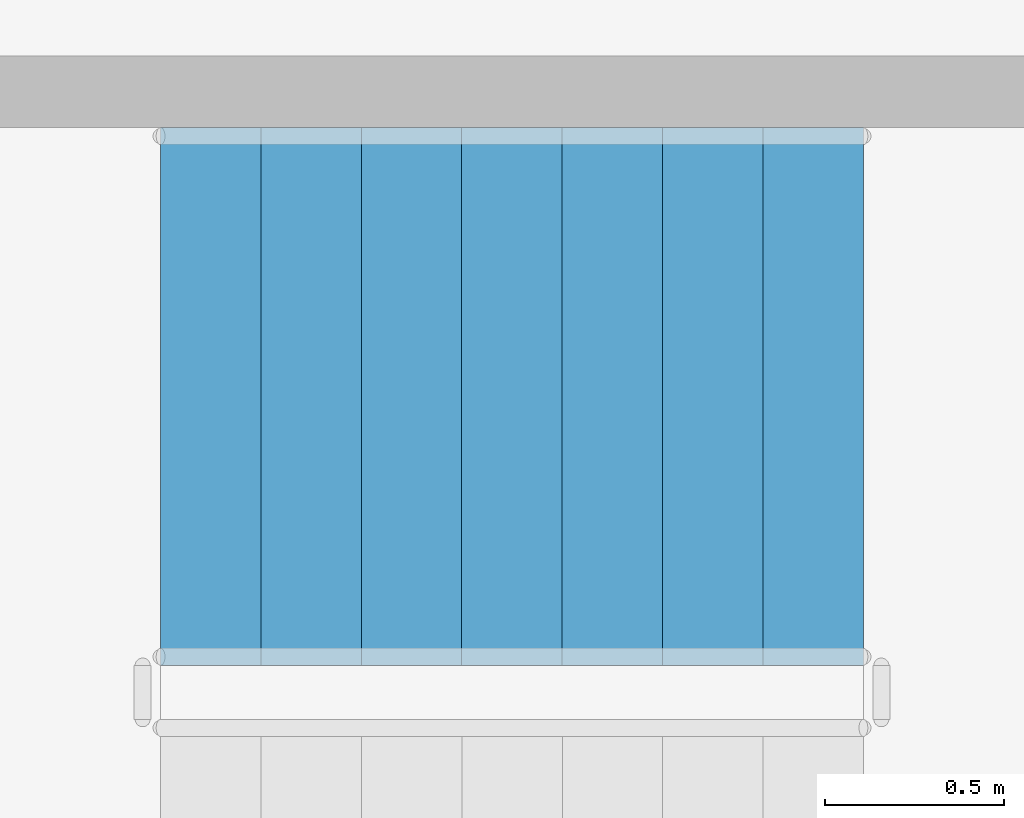
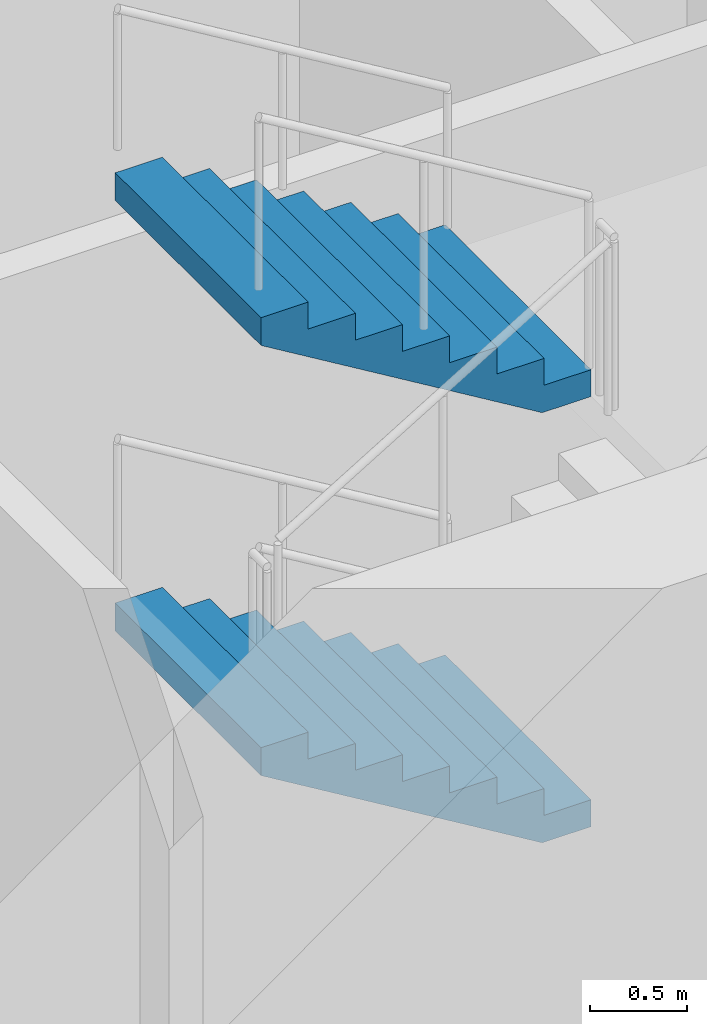
# One storey, part 62 of 101: 2 stair flights, 1 element without a shape of its own.
"""IFC4 building model written with IfcOpenShell, lengths in metres."""

import ifcopenshell
import ifcopenshell.guid

model = None  # the IFC model being written
_history = None  # IfcOwnerHistory: only IFC2X3 demands one
_inside = {}  # id of a spatial element -> (the spatial element, [elements in it])
_under = {}  # id of a project, library or spatial element -> (it, [spatial elements below it])
_declared = {}  # id of a project -> (the project, [libraries it declares])
_typed = {}  # id of a type object -> (the type object, [elements of that type])
_made_of = {}  # id of a material, layer set ... -> (it, [elements and type objects made of it])


def new_model(schema):
    """Start an empty IFC model of exactly this schema.

    Asked for "IFC4X3", IfcOpenShell would pick the latest addendum, in which some entities
    have other attributes; the version numbers below select the first issue.
    IFC2X3 requires an IfcOwnerHistory on every rooted entity: one is made here for all.
    """
    global model, _history
    if schema == "IFC4X3":
        model = ifcopenshell.file(schema_version=(4, 3, 0, 0))
    else:
        model = ifcopenshell.file(schema=schema)
    _inside.clear()
    _under.clear()
    _declared.clear()
    _typed.clear()
    _made_of.clear()
    _history = None
    if model.schema == "IFC2X3":
        org = make("IfcOrganization", Name="unknown")
        user = make(
            "IfcPersonAndOrganization",
            ThePerson=make("IfcPerson", FamilyName="unknown"),
            TheOrganization=org,
        )
        app = make(
            "IfcApplication",
            ApplicationDeveloper=org,
            Version="unknown",
            ApplicationFullName="unknown",
            ApplicationIdentifier="unknown",
        )
        _history = make(
            "IfcOwnerHistory",
            OwningUser=user,
            OwningApplication=app,
            ChangeAction="ADDED",
            CreationDate=0,
        )
    return model


def make(cls, **values):
    """One entity of the class cls with the attributes given. An attribute that is None is left unset."""
    return model.create_entity(
        cls, **{name: value for name, value in values.items() if value is not None}
    )


def rooted(cls, **values):
    """An entity with a GlobalId (a new one), such as an element, a storey or a relation."""
    return make(cls, GlobalId=ifcopenshell.guid.new(), OwnerHistory=_history, **values)


def si_unit(unit_type, name, prefix=None):
    """IfcSIUnit, for example si_unit("LENGTHUNIT", "METRE", prefix="MILLI")."""
    return make("IfcSIUnit", UnitType=unit_type, Prefix=prefix, Name=name)


def assignment(units):
    """IfcUnitAssignment: the units of a project."""
    return None if units is None else make("IfcUnitAssignment", Units=units)


def point(xyz):
    """IfcCartesianPoint."""
    return None if xyz is None else make("IfcCartesianPoint", Coordinates=xyz)


def direction(xyz):
    """IfcDirection."""
    return None if xyz is None else make("IfcDirection", DirectionRatios=xyz)


def frame(location, z_axis=None, x_axis=None):
    """IfcAxis2Placement3D, a coordinate frame: its origin and axes. An axis left out is left unset."""
    return make(
        "IfcAxis2Placement3D",
        Location=point(location),
        Axis=direction(z_axis),
        RefDirection=direction(x_axis),
    )


def origin():
    """The frame at (0, 0, 0) with its axes left unset."""
    return frame((0.0, 0.0, 0.0))


def place(relative_to, where):
    """IfcLocalPlacement: puts the frame where relative to a parent placement (None: the world)."""
    return make(
        "IfcLocalPlacement", PlacementRelTo=relative_to, RelativePlacement=where
    )


def context(
    kind, dimensions, precision=None, world=None, true_north=None, identifier=None
):
    """IfcGeometricRepresentationContext, for example the 3D "Model" context."""
    return make(
        "IfcGeometricRepresentationContext",
        ContextIdentifier=identifier,
        ContextType=kind,
        CoordinateSpaceDimension=dimensions,
        Precision=precision,
        WorldCoordinateSystem=world,
        TrueNorth=true_north,
    )


def subcontext(parent, identifier, kind, view, scale=None):
    """IfcGeometricRepresentationSubContext, for example "Body" below "Model"."""
    return make(
        "IfcGeometricRepresentationSubContext",
        ContextIdentifier=identifier,
        ContextType=kind,
        ParentContext=parent,
        TargetScale=scale,
        TargetView=view,
    )


def project(units=None, contexts=None):
    """IfcProject with its units and contexts."""
    return rooted(
        "IfcProject",
        Name="project",
        RepresentationContexts=contexts,
        UnitsInContext=assignment(units),
    )


def spatial(cls, under=None, at=None, **own):
    """A site, building, storey or space (cls), placed at a placement, below another one or the project."""
    s = rooted(cls, ObjectPlacement=at, **own)
    if under is not None:
        _under.setdefault(under.id(), (under, []))[1].append(s)
    return s


def point_list(points):
    """IfcCartesianPointList2D or 3D."""
    cls = (
        "IfcCartesianPointList2D" if len(points[0]) == 2 else "IfcCartesianPointList3D"
    )
    return make(cls, CoordList=points)


def triangles(points, corners, closed=None, point_numbers=None):
    """IfcTriangulatedFaceSet: each triangle names its three corners, points numbered from 1."""
    return make(
        "IfcTriangulatedFaceSet",
        Coordinates=point_list(points),
        Closed=closed,
        CoordIndex=corners,
        PnIndex=point_numbers,
    )


def shape(context_of_items, identifier, shape_type, items):
    """IfcShapeRepresentation: the items that make up one representation, for example the "Body"."""
    return make(
        "IfcShapeRepresentation",
        ContextOfItems=context_of_items,
        RepresentationIdentifier=identifier,
        RepresentationType=shape_type,
        Items=items,
    )


def material(Name=None, Category=None):
    """IfcMaterial."""
    return make("IfcMaterial", Name=Name, Category=Category)


def made_of(thing, what):
    """Note that an element or type object is made of a material, layer set ...; save() writes the relation."""
    if what is not None:
        _made_of.setdefault(what.id(), (what, []))[1].append(thing)
    return thing


def type_object(cls, material=None, **own):
    """A type object (cls), such as IfcWallType, which elements share."""
    return made_of(rooted(cls, **own), material)


def element(
    cls,
    number,
    at=None,
    inside=None,
    cuts=None,
    type_object=None,
    material=None,
    context=None,
    identifier="Body",
    shape_type=None,
    held_by="IfcProductDefinitionShape",
    body=None,
    shapes=None,
    **own,
):
    """One element of the class cls, such as IfcWall. Its Tag is "e" and its number.

    at: its placement. inside: the storey or other place that contains it. cuts: it is an
    opening in that element (IfcRelVoidsElement). A single representation is given by context,
    identifier, shape_type and body (its items); several are given by shapes. held_by: the class
    of the entity that holds the representations. save() writes the other relations.
    """
    e = rooted(cls, Tag="e%d" % number, ObjectPlacement=at, **own)
    if body is not None:
        shapes = [shape(context, identifier, shape_type, body)]
    if shapes is not None:
        e.Representation = make(held_by, Representations=shapes)
    if inside is not None:
        _inside.setdefault(inside.id(), (inside, []))[1].append(e)
    if cuts is not None:
        rooted(
            "IfcRelVoidsElement", RelatingBuildingElement=cuts, RelatedOpeningElement=e
        )
    if type_object is not None:
        _typed.setdefault(type_object.id(), (type_object, []))[1].append(e)
    return made_of(e, material)


def aggregate(whole, parts):
    """IfcRelAggregates: a whole, such as a stair, and the parts it consists of."""
    return rooted("IfcRelAggregates", RelatingObject=whole, RelatedObjects=parts)


def save(model, path):
    """Write the relations noted so far, then the file.

    IfcRelAggregates (storeys below a building ...), IfcRelContainedInSpatialStructure (elements
    in a storey), IfcRelDefinesByType, IfcRelAssociatesMaterial and IfcRelDeclares: one each for
    every whole, place, type object, material and project.
    """
    for whole, parts in _under.values():
        aggregate(whole, parts)
    for where, things in _inside.values():
        rooted(
            "IfcRelContainedInSpatialStructure",
            RelatedElements=things,
            RelatingStructure=where,
        )
    for kind, things in _typed.values():
        rooted("IfcRelDefinesByType", RelatedObjects=things, RelatingType=kind)
    for what, things in _made_of.values():
        rooted("IfcRelAssociatesMaterial", RelatedObjects=things, RelatingMaterial=what)
    for by, libraries in _declared.values():
        rooted("IfcRelDeclares", RelatingContext=by, RelatedDefinitions=libraries)
    model.write(path)


model = new_model("IFC4")

# Units and contexts
model_context = context("Model", 3, precision=1e-05, world=origin(), true_north=direction((0.0, 1.0)))
body_context = subcontext(model_context, "Body", "Model", "MODEL_VIEW")
ifc_project = project(units=[si_unit("LENGTHUNIT", "METRE"), si_unit("AREAUNIT", "SQUARE_METRE"), si_unit("VOLUMEUNIT", "CUBIC_METRE"), si_unit("PLANEANGLEUNIT", "RADIAN"), si_unit("MASSUNIT", "GRAM", prefix="KILO")], contexts=[model_context])

# Site, building, storey
site_placement = place(None, origin())
site = spatial("IfcSite", under=ifc_project, at=site_placement, CompositionType="ELEMENT")
building_placement = place(site_placement, origin())
building = spatial("IfcBuilding", under=site, at=building_placement, Name="Magnolia Steps Interchange", CompositionType="ELEMENT")
storey_placement = place(building_placement, frame((0.0, 0.0, -5.39990234375)))
storey = spatial("IfcBuildingStorey", under=building, at=storey_placement, Name="B1", CompositionType="ELEMENT", Elevation=-5.39990234375)

# Stair, stair flights
ifc_material_1 = material(Name="Concrete C40", Category="concrete")
stair_type = type_object("IfcStairType", Name="Exit stair 1500", PredefinedType="HALF_TURN_STAIR", material=ifc_material_1)
stair_placement = place(storey_placement, origin())
stair = element("IfcStair", 1, at=stair_placement, inside=storey, type_object=stair_type, Name="B1 Stair 4", PredefinedType="HALF_TURN_STAIR")
ifc_material_2 = material(Name="Concrete C40", Category="concrete")
stair_flight_type = type_object("IfcStairFlightType", Name="Exit stair flight", PredefinedType="STRAIGHT", material=ifc_material_2)
stair_flight_1_placement = place(storey_placement, frame((114.159912109375, 77.699951171875, 1.349853515625), z_axis=(0.0, 0.0, 1.0), x_axis=(-1.0, 0.0, 0.0)))
stair_flight_1 = element("IfcStairFlight", 2, at=stair_flight_1_placement, type_object=stair_flight_type, Name="Stair 4 flight 2", NumberOfRisers=8, NumberOfTreads=7, PredefinedType="STRAIGHT", RiserHeight=0.16875, TreadLength=0.28, context=body_context, shape_type="Tessellation", body=[
    triangles([(0.0, -0.75, 0.0), (0.29052734375, -0.75, 0.0), (1.9599609375, -0.75, 1.00634765625), (1.9599609375, -0.75, 1.18115234375), (1.679931640625, -0.75, 1.18115234375), (1.679931640625, -0.75, 1.012451171875), (1.39990234375, -0.75, 1.012451171875), (1.39990234375, -0.75, 0.84375), (1.1201171875, -0.75, 0.84375), (1.1201171875, -0.75, 0.675048828125), (0.840087890625, -0.75, 0.675048828125), (0.840087890625, -0.75, 0.50634765625), (0.56005859375, -0.75, 0.50634765625), (0.56005859375, -0.75, 0.33740234375), (0.280029296875, -0.75, 0.33740234375), (0.280029296875, -0.75, 0.168701171875), (0.0, -0.75, 0.168701171875), (0.0, 0.75, 0.0), (0.29052734375, 0.75, 0.0), (1.9599609375, 0.75, 1.00634765625), (1.9599609375, 0.75, 1.18115234375), (1.679931640625, 0.75, 1.18115234375), (1.679931640625, 0.75, 1.012451171875), (1.39990234375, 0.75, 1.012451171875), (1.39990234375, 0.75, 0.84375), (1.1201171875, 0.75, 0.84375), (1.1201171875, 0.75, 0.675048828125), (0.840087890625, 0.75, 0.675048828125), (0.840087890625, 0.75, 0.50634765625), (0.56005859375, 0.75, 0.50634765625), (0.56005859375, 0.75, 0.33740234375), (0.280029296875, 0.75, 0.33740234375), (0.280029296875, 0.75, 0.168701171875), (0.0, 0.75, 0.168701171875), (0.0, 0.0, 0.0), (0.0, 0.0, 0.04217529296875), (0.0, 0.0, 0.0843505859375), (0.0, 0.0, 0.12652587890625), (0.0, 0.0, 0.168701171875), (0.0, -0.05, 0.0), (0.0, -0.05, 0.168701171875), (0.0, 0.05, 0.0), (0.0, 0.05, 0.168701171875), (0.046671549479166664, 0.0, 0.168701171875), (0.09334309895833333, 0.0, 0.168701171875), (0.1400146484375, 0.0, 0.168701171875), (0.18668619791666666, 0.0, 0.168701171875), (0.23335774739583334, 0.0, 0.168701171875), (0.280029296875, 0.0, 0.168701171875), (0.280029296875, -0.05, 0.168701171875), (0.280029296875, 0.05, 0.168701171875), (0.280029296875, 0.0, 0.21087646484375), (0.280029296875, 0.0, 0.2530517578125), (0.280029296875, 0.0, 0.29522705078125), (0.280029296875, 0.0, 0.33740234375), (0.280029296875, -0.05, 0.33740234375), (0.280029296875, 0.05, 0.33740234375), (0.3267008463541667, 0.0, 0.33740234375), (0.3733723958333333, 0.0, 0.33740234375), (0.4200439453125, 0.0, 0.33740234375), (0.46671549479166663, 0.0, 0.33740234375), (0.5133870442708334, 0.0, 0.33740234375), (0.56005859375, 0.0, 0.33740234375), (0.56005859375, -0.05, 0.33740234375), (0.56005859375, 0.05, 0.33740234375), (0.56005859375, 0.0, 0.379638671875), (0.56005859375, 0.0, 0.421875), (0.56005859375, 0.0, 0.464111328125), (0.56005859375, 0.0, 0.50634765625), (0.56005859375, -0.05, 0.50634765625), (0.56005859375, 0.05, 0.50634765625), (0.6067301432291666, 0.0, 0.50634765625), (0.6534016927083334, 0.0, 0.50634765625), (0.7000732421875, 0.0, 0.50634765625), (0.7467447916666666, 0.0, 0.50634765625), (0.7934163411458334, 0.0, 0.50634765625), (0.840087890625, 0.0, 0.50634765625), (0.840087890625, -0.05, 0.50634765625), (0.840087890625, 0.05, 0.50634765625), (0.840087890625, 0.0, 0.54852294921875), (0.840087890625, 0.0, 0.5906982421875), (0.840087890625, 0.0, 0.63287353515625), (0.840087890625, 0.0, 0.675048828125), (0.840087890625, -0.05, 0.675048828125), (0.840087890625, 0.05, 0.675048828125), (0.8867594401041666, 0.0, 0.675048828125), (0.9334309895833334, 0.0, 0.675048828125), (0.9801025390625, 0.0, 0.675048828125), (1.0267740885416667, 0.0, 0.675048828125), (1.0734456380208333, 0.0, 0.675048828125), (1.1201171875, 0.0, 0.675048828125), (1.1201171875, -0.05, 0.675048828125), (1.1201171875, 0.05, 0.675048828125), (1.1201171875, 0.0, 0.71722412109375), (1.1201171875, 0.0, 0.7593994140625), (1.1201171875, 0.0, 0.80157470703125), (1.1201171875, 0.0, 0.84375), (1.1201171875, -0.05, 0.84375), (1.1201171875, 0.05, 0.84375), (1.1900634765625, 0.0, 0.84375), (1.260009765625, 0.0, 0.84375), (1.3299560546875, 0.0, 0.84375), (1.39990234375, 0.0, 0.84375), (1.39990234375, -0.05, 0.84375), (1.39990234375, 0.05, 0.84375), (1.39990234375, 0.0, 0.88592529296875), (1.39990234375, 0.0, 0.9281005859375), (1.39990234375, 0.0, 0.97027587890625), (1.39990234375, 0.0, 1.012451171875), (1.39990234375, -0.05, 1.012451171875), (1.39990234375, 0.05, 1.012451171875), (1.4465738932291667, 0.0, 1.012451171875), (1.4932454427083333, 0.0, 1.012451171875), (1.5399169921875, 0.0, 1.012451171875), (1.5865885416666667, 0.0, 1.012451171875), (1.6332600911458333, 0.0, 1.012451171875), (1.679931640625, 0.0, 1.012451171875), (1.679931640625, -0.05, 1.012451171875), (1.679931640625, 0.05, 1.012451171875), (1.679931640625, 0.0, 1.05462646484375), (1.679931640625, 0.0, 1.0968017578125), (1.679931640625, 0.0, 1.13897705078125), (1.679931640625, 0.0, 1.18115234375), (1.679931640625, -0.05, 1.18115234375), (1.679931640625, 0.05, 1.18115234375), (1.7266031901041667, 0.0, 1.18115234375), (1.7732747395833333, 0.0, 1.18115234375), (1.8199462890625, 0.0, 1.18115234375), (1.8666178385416667, 0.0, 1.18115234375), (1.9132893880208333, 0.0, 1.18115234375), (1.9599609375, 0.0, 1.18115234375), (1.9599609375, -0.05, 1.18115234375), (1.9599609375, 0.05, 1.18115234375), (1.9599609375, 0.0, 1.137451171875), (1.9599609375, 0.0, 1.09375), (1.9599609375, 0.0, 1.050048828125), (1.9599609375, 0.0, 1.00634765625), (1.9599609375, -0.05, 1.00634765625), (1.9599609375, 0.05, 1.00634765625), (1.9003383091517858, 0.0, 0.9704066685267857), (1.8407156808035714, 0.0, 0.9344656808035714), (1.7810930524553572, 0.0, 0.8985246930803571), (1.7214704241071428, 0.0, 0.8625837053571428), (1.6618477957589286, 0.0, 0.8266427176339286), (1.6022251674107144, 0.0, 0.7907017299107143), (1.5426025390625, 0.0, 0.7547607421875), (1.4829799107142856, 0.0, 0.7188197544642857), (1.4233572823660714, 0.0, 0.6828787667410714), (1.3637346540178572, 0.0, 0.6469377790178572), (1.3041120256696428, 0.0, 0.6109967912946428), (1.2444893973214286, 0.0, 0.5750558035714286), (1.1848667689732144, 0.0, 0.5391148158482143), (1.125244140625, 0.0, 0.503173828125), (1.0656215122767856, 0.0, 0.4672328404017857), (1.0059988839285714, 0.0, 0.4312918526785714), (0.9463762555803572, 0.0, 0.3953508649553571), (0.8867536272321428, 0.0, 0.3594098772321429), (0.8271309988839286, 0.0, 0.3234688895089286), (0.7675083705357142, 0.0, 0.2875279017857143), (0.7078857421875, 0.0, 0.2515869140625), (0.6482631138392858, 0.0, 0.2156459263392857), (0.5886404854910714, 0.0, 0.1797049386160714), (0.5290178571428572, 0.0, 0.1437639508928571), (0.4693952287946428, 0.0, 0.1078229631696429), (0.4097726004464286, 0.0, 0.0718819754464286), (0.3501499720982142, 0.0, 0.0359409877232143), (0.29052734375, 0.0, 0.0), (0.29052734375, -0.05, 0.0), (0.29052734375, 0.05, 0.0), (0.24210611979166666, 0.0, 0.0), (0.19368489583333331, 0.0, 0.0), (0.145263671875, 0.0, 0.0), (0.09684244791666666, 0.0, 0.0), (0.04842122395833334, 0.0, 0.0)], [[1, 2, 3], [3, 4, 5], [3, 5, 6], [3, 6, 7], [3, 7, 8], [8, 9, 10], [3, 8, 10], [10, 11, 12], [3, 10, 12], [12, 13, 14], [3, 12, 14], [14, 15, 16], [3, 14, 16], [1, 3, 16], [16, 17, 1], [18, 20, 19], [20, 22, 21], [20, 23, 22], [20, 24, 23], [20, 25, 24], [25, 27, 26], [20, 27, 25], [27, 29, 28], [20, 29, 27], [29, 31, 30], [20, 31, 29], [31, 33, 32], [20, 33, 31], [18, 33, 20], [33, 18, 34], [1, 17, 41], [1, 41, 40], [40, 36, 35], [40, 37, 36], [40, 41, 37], [41, 38, 37], [41, 39, 38], [18, 43, 34], [18, 42, 43], [42, 35, 36], [42, 36, 37], [42, 37, 43], [43, 37, 38], [43, 38, 39], [17, 16, 50], [17, 50, 41], [41, 44, 39], [41, 45, 44], [41, 46, 45], [41, 50, 46], [50, 47, 46], [50, 48, 47], [50, 49, 48], [34, 51, 33], [34, 43, 51], [43, 39, 44], [43, 44, 45], [43, 45, 46], [43, 46, 51], [51, 46, 47], [51, 47, 48], [51, 48, 49], [16, 15, 56], [16, 56, 50], [50, 52, 49], [50, 53, 52], [50, 56, 53], [56, 54, 53], [56, 55, 54], [33, 57, 32], [33, 51, 57], [51, 49, 52], [51, 52, 53], [51, 53, 57], [57, 53, 54], [57, 54, 55], [15, 14, 64], [15, 64, 56], [56, 58, 55], [56, 59, 58], [56, 60, 59], [56, 64, 60], [64, 61, 60], [64, 62, 61], [64, 63, 62], [32, 65, 31], [32, 57, 65], [57, 55, 58], [57, 58, 59], [57, 59, 60], [57, 60, 65], [65, 60, 61], [65, 61, 62], [65, 62, 63], [14, 13, 70], [14, 70, 64], [64, 66, 63], [64, 67, 66], [64, 70, 67], [70, 68, 67], [70, 69, 68], [31, 71, 30], [31, 65, 71], [65, 63, 66], [65, 66, 67], [65, 67, 71], [71, 67, 68], [71, 68, 69], [13, 12, 78], [13, 78, 70], [70, 72, 69], [70, 73, 72], [70, 74, 73], [70, 78, 74], [78, 75, 74], [78, 76, 75], [78, 77, 76], [30, 79, 29], [30, 71, 79], [71, 69, 72], [71, 72, 73], [71, 73, 74], [71, 74, 79], [79, 74, 75], [79, 75, 76], [79, 76, 77], [12, 11, 84], [12, 84, 78], [78, 80, 77], [78, 81, 80], [78, 84, 81], [84, 82, 81], [84, 83, 82], [29, 85, 28], [29, 79, 85], [79, 77, 80], [79, 80, 81], [79, 81, 85], [85, 81, 82], [85, 82, 83], [11, 10, 92], [11, 92, 84], [84, 86, 83], [84, 87, 86], [84, 88, 87], [84, 92, 88], [92, 89, 88], [92, 90, 89], [92, 91, 90], [28, 93, 27], [28, 85, 93], [85, 83, 86], [85, 86, 87], [85, 87, 88], [85, 88, 93], [93, 88, 89], [93, 89, 90], [93, 90, 91], [10, 9, 98], [10, 98, 92], [92, 94, 91], [92, 95, 94], [92, 98, 95], [98, 96, 95], [98, 97, 96], [27, 99, 26], [27, 93, 99], [93, 91, 94], [93, 94, 95], [93, 95, 99], [99, 95, 96], [99, 96, 97], [9, 8, 104], [9, 104, 98], [98, 100, 97], [98, 101, 100], [98, 104, 101], [104, 102, 101], [104, 103, 102], [26, 105, 25], [26, 99, 105], [99, 97, 100], [99, 100, 101], [99, 101, 105], [105, 101, 102], [105, 102, 103], [8, 7, 110], [8, 110, 104], [104, 106, 103], [104, 107, 106], [104, 110, 107], [110, 108, 107], [110, 109, 108], [25, 111, 24], [25, 105, 111], [105, 103, 106], [105, 106, 107], [105, 107, 111], [111, 107, 108], [111, 108, 109], [7, 6, 118], [7, 118, 110], [110, 112, 109], [110, 113, 112], [110, 114, 113], [110, 118, 114], [118, 115, 114], [118, 116, 115], [118, 117, 116], [24, 119, 23], [24, 111, 119], [111, 109, 112], [111, 112, 113], [111, 113, 114], [111, 114, 119], [119, 114, 115], [119, 115, 116], [119, 116, 117], [6, 5, 124], [6, 124, 118], [118, 120, 117], [118, 121, 120], [118, 124, 121], [124, 122, 121], [124, 123, 122], [23, 125, 22], [23, 119, 125], [119, 117, 120], [119, 120, 121], [119, 121, 125], [125, 121, 122], [125, 122, 123], [5, 4, 132], [5, 132, 124], [124, 126, 123], [124, 127, 126], [124, 128, 127], [124, 132, 128], [132, 129, 128], [132, 130, 129], [132, 131, 130], [22, 133, 21], [22, 125, 133], [125, 123, 126], [125, 126, 127], [125, 127, 128], [125, 128, 133], [133, 128, 129], [133, 129, 130], [133, 130, 131], [4, 3, 138], [4, 138, 132], [132, 134, 131], [132, 135, 134], [132, 138, 135], [138, 136, 135], [138, 137, 136], [21, 139, 20], [21, 133, 139], [133, 131, 134], [133, 134, 135], [133, 135, 139], [139, 135, 136], [139, 136, 137], [3, 2, 168], [3, 168, 138], [138, 140, 137], [138, 141, 140], [138, 142, 141], [138, 143, 142], [138, 144, 143], [138, 145, 144], [138, 146, 145], [138, 147, 146], [138, 148, 147], [138, 149, 148], [138, 150, 149], [138, 151, 150], [138, 152, 151], [138, 153, 152], [138, 168, 153], [168, 154, 153], [168, 155, 154], [168, 156, 155], [168, 157, 156], [168, 158, 157], [168, 159, 158], [168, 160, 159], [168, 161, 160], [168, 162, 161], [168, 163, 162], [168, 164, 163], [168, 165, 164], [168, 166, 165], [168, 167, 166], [20, 169, 19], [20, 139, 169], [139, 137, 140], [139, 140, 141], [139, 141, 142], [139, 142, 143], [139, 143, 144], [139, 144, 145], [139, 145, 146], [139, 146, 147], [139, 147, 148], [139, 148, 149], [139, 149, 150], [139, 150, 151], [139, 151, 152], [139, 152, 153], [139, 153, 169], [169, 153, 154], [169, 154, 155], [169, 155, 156], [169, 156, 157], [169, 157, 158], [169, 158, 159], [169, 159, 160], [169, 160, 161], [169, 161, 162], [169, 162, 163], [169, 163, 164], [169, 164, 165], [169, 165, 166], [169, 166, 167], [2, 1, 40], [2, 40, 168], [168, 170, 167], [168, 171, 170], [168, 172, 171], [168, 40, 172], [40, 173, 172], [40, 174, 173], [40, 35, 174], [19, 42, 18], [19, 169, 42], [169, 167, 170], [169, 170, 171], [169, 171, 172], [169, 172, 42], [42, 172, 173], [42, 173, 174], [42, 174, 35]], closed=True),
])
stair_flight_2_placement = place(storey_placement, frame((114.159912109375, 77.699951171875, 4.0498046875), z_axis=(0.0, 0.0, 1.0), x_axis=(-1.0, 0.0, 0.0)))
stair_flight_2 = element("IfcStairFlight", 3, at=stair_flight_2_placement, type_object=stair_flight_type, Name="Stair 4 flight 4", NumberOfRisers=8, NumberOfTreads=7, PredefinedType="STRAIGHT", RiserHeight=0.16875, TreadLength=0.28, context=body_context, shape_type="Tessellation", body=[
    triangles([(0.0, -0.75, 0.0), (0.29052734375, -0.75, 0.0), (1.9599609375, -0.75, 1.00634765625), (1.9599609375, -0.75, 1.18115234375), (1.679931640625, -0.75, 1.18115234375), (1.679931640625, -0.75, 1.012451171875), (1.39990234375, -0.75, 1.012451171875), (1.39990234375, -0.75, 0.84375), (1.1201171875, -0.75, 0.84375), (1.1201171875, -0.75, 0.675048828125), (0.840087890625, -0.75, 0.675048828125), (0.840087890625, -0.75, 0.50634765625), (0.56005859375, -0.75, 0.50634765625), (0.56005859375, -0.75, 0.33740234375), (0.280029296875, -0.75, 0.33740234375), (0.280029296875, -0.75, 0.168701171875), (0.0, -0.75, 0.168701171875), (0.0, 0.75, 0.0), (0.29052734375, 0.75, 0.0), (1.9599609375, 0.75, 1.00634765625), (1.9599609375, 0.75, 1.18115234375), (1.679931640625, 0.75, 1.18115234375), (1.679931640625, 0.75, 1.012451171875), (1.39990234375, 0.75, 1.012451171875), (1.39990234375, 0.75, 0.84375), (1.1201171875, 0.75, 0.84375), (1.1201171875, 0.75, 0.675048828125), (0.840087890625, 0.75, 0.675048828125), (0.840087890625, 0.75, 0.50634765625), (0.56005859375, 0.75, 0.50634765625), (0.56005859375, 0.75, 0.33740234375), (0.280029296875, 0.75, 0.33740234375), (0.280029296875, 0.75, 0.168701171875), (0.0, 0.75, 0.168701171875), (0.0, 0.0, 0.0), (0.0, 0.0, 0.04217529296875), (0.0, 0.0, 0.0843505859375), (0.0, 0.0, 0.12652587890625), (0.0, 0.0, 0.168701171875), (0.0, -0.05, 0.0), (0.0, -0.05, 0.168701171875), (0.0, 0.05, 0.0), (0.0, 0.05, 0.168701171875), (0.046671549479166664, 0.0, 0.168701171875), (0.09334309895833333, 0.0, 0.168701171875), (0.1400146484375, 0.0, 0.168701171875), (0.18668619791666666, 0.0, 0.168701171875), (0.23335774739583334, 0.0, 0.168701171875), (0.280029296875, 0.0, 0.168701171875), (0.280029296875, -0.05, 0.168701171875), (0.280029296875, 0.05, 0.168701171875), (0.280029296875, 0.0, 0.21087646484375), (0.280029296875, 0.0, 0.2530517578125), (0.280029296875, 0.0, 0.29522705078125), (0.280029296875, 0.0, 0.33740234375), (0.280029296875, -0.05, 0.33740234375), (0.280029296875, 0.05, 0.33740234375), (0.3267008463541667, 0.0, 0.33740234375), (0.3733723958333333, 0.0, 0.33740234375), (0.4200439453125, 0.0, 0.33740234375), (0.46671549479166663, 0.0, 0.33740234375), (0.5133870442708334, 0.0, 0.33740234375), (0.56005859375, 0.0, 0.33740234375), (0.56005859375, -0.05, 0.33740234375), (0.56005859375, 0.05, 0.33740234375), (0.56005859375, 0.0, 0.379638671875), (0.56005859375, 0.0, 0.421875), (0.56005859375, 0.0, 0.464111328125), (0.56005859375, 0.0, 0.50634765625), (0.56005859375, -0.05, 0.50634765625), (0.56005859375, 0.05, 0.50634765625), (0.6067301432291666, 0.0, 0.50634765625), (0.6534016927083334, 0.0, 0.50634765625), (0.7000732421875, 0.0, 0.50634765625), (0.7467447916666666, 0.0, 0.50634765625), (0.7934163411458334, 0.0, 0.50634765625), (0.840087890625, 0.0, 0.50634765625), (0.840087890625, -0.05, 0.50634765625), (0.840087890625, 0.05, 0.50634765625), (0.840087890625, 0.0, 0.54852294921875), (0.840087890625, 0.0, 0.5906982421875), (0.840087890625, 0.0, 0.63287353515625), (0.840087890625, 0.0, 0.675048828125), (0.840087890625, -0.05, 0.675048828125), (0.840087890625, 0.05, 0.675048828125), (0.8867594401041666, 0.0, 0.675048828125), (0.9334309895833334, 0.0, 0.675048828125), (0.9801025390625, 0.0, 0.675048828125), (1.0267740885416667, 0.0, 0.675048828125), (1.0734456380208333, 0.0, 0.675048828125), (1.1201171875, 0.0, 0.675048828125), (1.1201171875, -0.05, 0.675048828125), (1.1201171875, 0.05, 0.675048828125), (1.1201171875, 0.0, 0.71722412109375), (1.1201171875, 0.0, 0.7593994140625), (1.1201171875, 0.0, 0.80157470703125), (1.1201171875, 0.0, 0.84375), (1.1201171875, -0.05, 0.84375), (1.1201171875, 0.05, 0.84375), (1.1900634765625, 0.0, 0.84375), (1.260009765625, 0.0, 0.84375), (1.3299560546875, 0.0, 0.84375), (1.39990234375, 0.0, 0.84375), (1.39990234375, -0.05, 0.84375), (1.39990234375, 0.05, 0.84375), (1.39990234375, 0.0, 0.88592529296875), (1.39990234375, 0.0, 0.9281005859375), (1.39990234375, 0.0, 0.97027587890625), (1.39990234375, 0.0, 1.012451171875), (1.39990234375, -0.05, 1.012451171875), (1.39990234375, 0.05, 1.012451171875), (1.4465738932291667, 0.0, 1.012451171875), (1.4932454427083333, 0.0, 1.012451171875), (1.5399169921875, 0.0, 1.012451171875), (1.5865885416666667, 0.0, 1.012451171875), (1.6332600911458333, 0.0, 1.012451171875), (1.679931640625, 0.0, 1.012451171875), (1.679931640625, -0.05, 1.012451171875), (1.679931640625, 0.05, 1.012451171875), (1.679931640625, 0.0, 1.05462646484375), (1.679931640625, 0.0, 1.0968017578125), (1.679931640625, 0.0, 1.13897705078125), (1.679931640625, 0.0, 1.18115234375), (1.679931640625, -0.05, 1.18115234375), (1.679931640625, 0.05, 1.18115234375), (1.7266031901041667, 0.0, 1.18115234375), (1.7732747395833333, 0.0, 1.18115234375), (1.8199462890625, 0.0, 1.18115234375), (1.8666178385416667, 0.0, 1.18115234375), (1.9132893880208333, 0.0, 1.18115234375), (1.9599609375, 0.0, 1.18115234375), (1.9599609375, -0.05, 1.18115234375), (1.9599609375, 0.05, 1.18115234375), (1.9599609375, 0.0, 1.137451171875), (1.9599609375, 0.0, 1.09375), (1.9599609375, 0.0, 1.050048828125), (1.9599609375, 0.0, 1.00634765625), (1.9599609375, -0.05, 1.00634765625), (1.9599609375, 0.05, 1.00634765625), (1.9003383091517858, 0.0, 0.9704066685267857), (1.8407156808035714, 0.0, 0.9344656808035714), (1.7810930524553572, 0.0, 0.8985246930803571), (1.7214704241071428, 0.0, 0.8625837053571428), (1.6618477957589286, 0.0, 0.8266427176339286), (1.6022251674107144, 0.0, 0.7907017299107143), (1.5426025390625, 0.0, 0.7547607421875), (1.4829799107142856, 0.0, 0.7188197544642857), (1.4233572823660714, 0.0, 0.6828787667410714), (1.3637346540178572, 0.0, 0.6469377790178572), (1.3041120256696428, 0.0, 0.6109967912946428), (1.2444893973214286, 0.0, 0.5750558035714286), (1.1848667689732144, 0.0, 0.5391148158482143), (1.125244140625, 0.0, 0.503173828125), (1.0656215122767856, 0.0, 0.4672328404017857), (1.0059988839285714, 0.0, 0.4312918526785714), (0.9463762555803572, 0.0, 0.3953508649553571), (0.8867536272321428, 0.0, 0.3594098772321429), (0.8271309988839286, 0.0, 0.3234688895089286), (0.7675083705357142, 0.0, 0.2875279017857143), (0.7078857421875, 0.0, 0.2515869140625), (0.6482631138392858, 0.0, 0.2156459263392857), (0.5886404854910714, 0.0, 0.1797049386160714), (0.5290178571428572, 0.0, 0.1437639508928571), (0.4693952287946428, 0.0, 0.1078229631696429), (0.4097726004464286, 0.0, 0.0718819754464286), (0.3501499720982142, 0.0, 0.0359409877232143), (0.29052734375, 0.0, 0.0), (0.29052734375, -0.05, 0.0), (0.29052734375, 0.05, 0.0), (0.24210611979166666, 0.0, 0.0), (0.19368489583333331, 0.0, 0.0), (0.145263671875, 0.0, 0.0), (0.09684244791666666, 0.0, 0.0), (0.04842122395833334, 0.0, 0.0)], [[1, 2, 3], [3, 4, 5], [3, 5, 6], [3, 6, 7], [3, 7, 8], [8, 9, 10], [3, 8, 10], [10, 11, 12], [3, 10, 12], [12, 13, 14], [3, 12, 14], [14, 15, 16], [3, 14, 16], [1, 3, 16], [16, 17, 1], [18, 20, 19], [20, 22, 21], [20, 23, 22], [20, 24, 23], [20, 25, 24], [25, 27, 26], [20, 27, 25], [27, 29, 28], [20, 29, 27], [29, 31, 30], [20, 31, 29], [31, 33, 32], [20, 33, 31], [18, 33, 20], [33, 18, 34], [1, 17, 41], [1, 41, 40], [40, 36, 35], [40, 37, 36], [40, 41, 37], [41, 38, 37], [41, 39, 38], [18, 43, 34], [18, 42, 43], [42, 35, 36], [42, 36, 37], [42, 37, 43], [43, 37, 38], [43, 38, 39], [17, 16, 50], [17, 50, 41], [41, 44, 39], [41, 45, 44], [41, 46, 45], [41, 50, 46], [50, 47, 46], [50, 48, 47], [50, 49, 48], [34, 51, 33], [34, 43, 51], [43, 39, 44], [43, 44, 45], [43, 45, 46], [43, 46, 51], [51, 46, 47], [51, 47, 48], [51, 48, 49], [16, 15, 56], [16, 56, 50], [50, 52, 49], [50, 53, 52], [50, 56, 53], [56, 54, 53], [56, 55, 54], [33, 57, 32], [33, 51, 57], [51, 49, 52], [51, 52, 53], [51, 53, 57], [57, 53, 54], [57, 54, 55], [15, 14, 64], [15, 64, 56], [56, 58, 55], [56, 59, 58], [56, 60, 59], [56, 64, 60], [64, 61, 60], [64, 62, 61], [64, 63, 62], [32, 65, 31], [32, 57, 65], [57, 55, 58], [57, 58, 59], [57, 59, 60], [57, 60, 65], [65, 60, 61], [65, 61, 62], [65, 62, 63], [14, 13, 70], [14, 70, 64], [64, 66, 63], [64, 67, 66], [64, 70, 67], [70, 68, 67], [70, 69, 68], [31, 71, 30], [31, 65, 71], [65, 63, 66], [65, 66, 67], [65, 67, 71], [71, 67, 68], [71, 68, 69], [13, 12, 78], [13, 78, 70], [70, 72, 69], [70, 73, 72], [70, 74, 73], [70, 78, 74], [78, 75, 74], [78, 76, 75], [78, 77, 76], [30, 79, 29], [30, 71, 79], [71, 69, 72], [71, 72, 73], [71, 73, 74], [71, 74, 79], [79, 74, 75], [79, 75, 76], [79, 76, 77], [12, 11, 84], [12, 84, 78], [78, 80, 77], [78, 81, 80], [78, 84, 81], [84, 82, 81], [84, 83, 82], [29, 85, 28], [29, 79, 85], [79, 77, 80], [79, 80, 81], [79, 81, 85], [85, 81, 82], [85, 82, 83], [11, 10, 92], [11, 92, 84], [84, 86, 83], [84, 87, 86], [84, 88, 87], [84, 92, 88], [92, 89, 88], [92, 90, 89], [92, 91, 90], [28, 93, 27], [28, 85, 93], [85, 83, 86], [85, 86, 87], [85, 87, 88], [85, 88, 93], [93, 88, 89], [93, 89, 90], [93, 90, 91], [10, 9, 98], [10, 98, 92], [92, 94, 91], [92, 95, 94], [92, 98, 95], [98, 96, 95], [98, 97, 96], [27, 99, 26], [27, 93, 99], [93, 91, 94], [93, 94, 95], [93, 95, 99], [99, 95, 96], [99, 96, 97], [9, 8, 104], [9, 104, 98], [98, 100, 97], [98, 101, 100], [98, 104, 101], [104, 102, 101], [104, 103, 102], [26, 105, 25], [26, 99, 105], [99, 97, 100], [99, 100, 101], [99, 101, 105], [105, 101, 102], [105, 102, 103], [8, 7, 110], [8, 110, 104], [104, 106, 103], [104, 107, 106], [104, 110, 107], [110, 108, 107], [110, 109, 108], [25, 111, 24], [25, 105, 111], [105, 103, 106], [105, 106, 107], [105, 107, 111], [111, 107, 108], [111, 108, 109], [7, 6, 118], [7, 118, 110], [110, 112, 109], [110, 113, 112], [110, 114, 113], [110, 118, 114], [118, 115, 114], [118, 116, 115], [118, 117, 116], [24, 119, 23], [24, 111, 119], [111, 109, 112], [111, 112, 113], [111, 113, 114], [111, 114, 119], [119, 114, 115], [119, 115, 116], [119, 116, 117], [6, 5, 124], [6, 124, 118], [118, 120, 117], [118, 121, 120], [118, 124, 121], [124, 122, 121], [124, 123, 122], [23, 125, 22], [23, 119, 125], [119, 117, 120], [119, 120, 121], [119, 121, 125], [125, 121, 122], [125, 122, 123], [5, 4, 132], [5, 132, 124], [124, 126, 123], [124, 127, 126], [124, 128, 127], [124, 132, 128], [132, 129, 128], [132, 130, 129], [132, 131, 130], [22, 133, 21], [22, 125, 133], [125, 123, 126], [125, 126, 127], [125, 127, 128], [125, 128, 133], [133, 128, 129], [133, 129, 130], [133, 130, 131], [4, 3, 138], [4, 138, 132], [132, 134, 131], [132, 135, 134], [132, 138, 135], [138, 136, 135], [138, 137, 136], [21, 139, 20], [21, 133, 139], [133, 131, 134], [133, 134, 135], [133, 135, 139], [139, 135, 136], [139, 136, 137], [3, 2, 168], [3, 168, 138], [138, 140, 137], [138, 141, 140], [138, 142, 141], [138, 143, 142], [138, 144, 143], [138, 145, 144], [138, 146, 145], [138, 147, 146], [138, 148, 147], [138, 149, 148], [138, 150, 149], [138, 151, 150], [138, 152, 151], [138, 153, 152], [138, 168, 153], [168, 154, 153], [168, 155, 154], [168, 156, 155], [168, 157, 156], [168, 158, 157], [168, 159, 158], [168, 160, 159], [168, 161, 160], [168, 162, 161], [168, 163, 162], [168, 164, 163], [168, 165, 164], [168, 166, 165], [168, 167, 166], [20, 169, 19], [20, 139, 169], [139, 137, 140], [139, 140, 141], [139, 141, 142], [139, 142, 143], [139, 143, 144], [139, 144, 145], [139, 145, 146], [139, 146, 147], [139, 147, 148], [139, 148, 149], [139, 149, 150], [139, 150, 151], [139, 151, 152], [139, 152, 153], [139, 153, 169], [169, 153, 154], [169, 154, 155], [169, 155, 156], [169, 156, 157], [169, 157, 158], [169, 158, 159], [169, 159, 160], [169, 160, 161], [169, 161, 162], [169, 162, 163], [169, 163, 164], [169, 164, 165], [169, 165, 166], [169, 166, 167], [2, 1, 40], [2, 40, 168], [168, 170, 167], [168, 171, 170], [168, 172, 171], [168, 40, 172], [40, 173, 172], [40, 174, 173], [40, 35, 174], [19, 42, 18], [19, 169, 42], [169, 167, 170], [169, 170, 171], [169, 171, 172], [169, 172, 42], [42, 172, 173], [42, 173, 174], [42, 174, 35]], closed=True),
])
aggregate(stair, [stair_flight_1, stair_flight_2])

save(model, "model.ifc")
